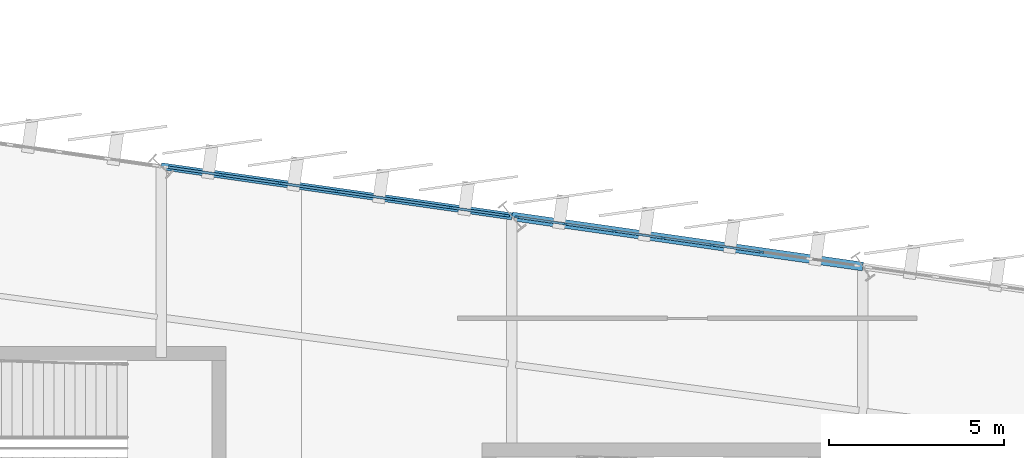
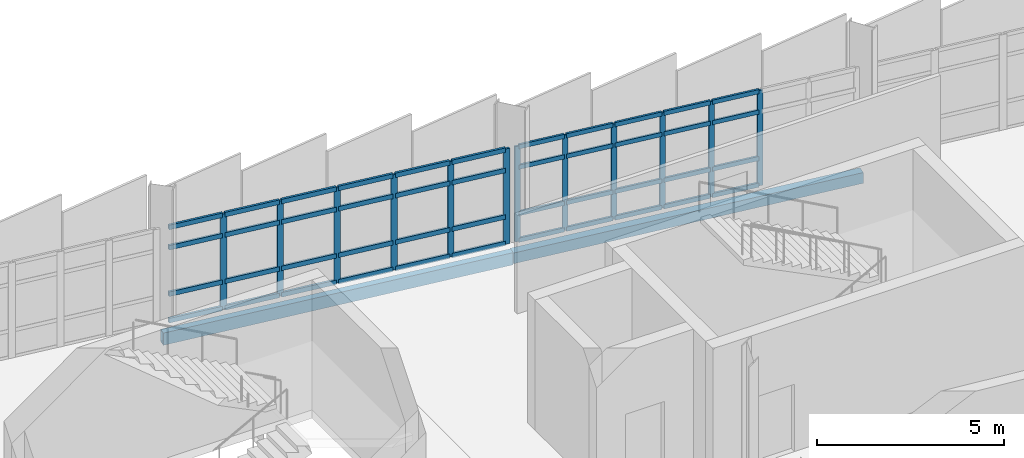
# One storey, part 78 of 134: 56 members, 2 beams, 2 elements without a shape of their own.
"""IFC4 building model written with IfcOpenShell, lengths in metres."""

from ifc_helpers import new_model, si_unit, direction, frame, origin, origin_2d, place, context, subcontext, project, spatial, rectangle, hollow_rectangle, extrude, material, layer, layer_set, material_profile, profile_set, type_object, element, aggregate, save


model = new_model("IFC4")

# Units and contexts
model_context = context("Model", 3, precision=1e-05, world=origin(), true_north=direction((0.0, 1.0)))
body_context = subcontext(model_context, "Body", "Model", "MODEL_VIEW")
ifc_project = project(units=[si_unit("LENGTHUNIT", "METRE"), si_unit("AREAUNIT", "SQUARE_METRE"), si_unit("VOLUMEUNIT", "CUBIC_METRE"), si_unit("PLANEANGLEUNIT", "RADIAN"), si_unit("MASSUNIT", "GRAM", prefix="KILO")], contexts=[model_context])

# Site, building, storey
site_placement = place(None, origin())
site = spatial("IfcSite", under=ifc_project, at=site_placement, CompositionType="ELEMENT")
building_placement = place(site_placement, origin())
building = spatial("IfcBuilding", under=site, at=building_placement, Name="Sohan Crest Arena", CompositionType="ELEMENT")
storey_placement = place(building_placement, frame((0.0, 0.0, 4.5)))
storey = spatial("IfcBuildingStorey", under=building, at=storey_placement, Name="L01", CompositionType="ELEMENT", Elevation=4.5)

# Curtain wall, members
ifc_material_1 = material(Name="Thermally broken anodised aluminium", Category="aluminium")
ifc_layer_1 = layer(ifc_material_1, 0.18994140625, Name="Thermally broken anodised aluminium")
ifc_layer_set_1 = layer_set([ifc_layer_1], Name="Thermally broken anodised aluminium")
curtain_wall_type_1 = type_object("IfcCurtainWallType", Name="ARC-CW05", PredefinedType="NOTDEFINED", material=ifc_layer_set_1)
curtain_wall_1_placement = place(storey_placement, origin())
curtain_wall_1 = element("IfcCurtainWall", 1, at=curtain_wall_1_placement, inside=storey, type_object=curtain_wall_type_1, Name="Unitised curtain wall CW-044", PredefinedType="NOTDEFINED")
ifc_material_profile_1 = material_profile(ifc_material_1, rectangle(XDim=0.06005859375, YDim=0.159912109375, at=origin_2d()), Name="ALU-MULL 60x160")
ifc_profile_set_1 = profile_set([ifc_material_profile_1], Name="Thermally broken anodised aluminium")
member_type_1 = type_object("IfcMemberType", Name="ARC-CW-ML01", PredefinedType="MULLION", material=ifc_profile_set_1)
member_1_placement = place(storey_placement, frame((155.087646484375, 117.8447265625, 0.0), z_axis=(0.0, 0.0, 1.0), x_axis=(-0.141449808729, -0.989945428602, 0.0)))
member_1 = element("IfcMember", 2, at=member_1_placement, type_object=member_type_1, Name="CW-044 mullion 3", PredefinedType="MULLION", context=body_context, shape_type="SweptSolid", body=[
    extrude(rectangle(XDim=0.06005859375, YDim=0.159912109375, at=origin_2d()), origin(), (0.0, 0.0, 1.0), 3.1201171875),
])
member_2_placement = place(storey_placement, frame((153.69580078125, 118.04345703125, 0.0), z_axis=(0.0, 0.0, 1.0), x_axis=(-0.141449808729, -0.989945428602, 0.0)))
member_2 = element("IfcMember", 3, at=member_2_placement, type_object=member_type_1, Name="CW-044 mullion 4", PredefinedType="MULLION", context=body_context, shape_type="SweptSolid", body=[
    extrude(rectangle(XDim=0.06005859375, YDim=0.159912109375, at=origin_2d()), origin(), (0.0, 0.0, 1.0), 3.1201171875),
])
member_3_placement = place(storey_placement, frame((152.30419921875, 118.242431640625, 0.0), z_axis=(0.0, 0.0, 1.0), x_axis=(-0.141449808729, -0.989945428602, 0.0)))
member_3 = element("IfcMember", 4, at=member_3_placement, type_object=member_type_1, Name="CW-044 mullion 5", PredefinedType="MULLION", context=body_context, shape_type="SweptSolid", body=[
    extrude(rectangle(XDim=0.06005859375, YDim=0.159912109375, at=origin_2d()), origin(), (0.0, 0.0, 1.0), 3.1201171875),
])
member_4_placement = place(storey_placement, frame((150.912353515625, 118.44140625, 0.0), z_axis=(0.0, 0.0, 1.0), x_axis=(-0.141449808729, -0.989945428602, 0.0)))
member_4 = element("IfcMember", 5, at=member_4_placement, type_object=member_type_1, Name="CW-044 mullion 6", PredefinedType="MULLION", context=body_context, shape_type="SweptSolid", body=[
    extrude(rectangle(XDim=0.06005859375, YDim=0.159912109375, at=origin_2d()), origin(), (0.0, 0.0, 1.0), 3.1201171875),
])
member_5_placement = place(storey_placement, frame((149.520751953125, 118.64013671875, 0.0), z_axis=(0.0, 0.0, 1.0), x_axis=(-0.141449808729, -0.989945428602, 0.0)))
member_5 = element("IfcMember", 6, at=member_5_placement, type_object=member_type_1, Name="CW-044 mullion 7", PredefinedType="MULLION", context=body_context, shape_type="SweptSolid", body=[
    extrude(rectangle(XDim=0.06005859375, YDim=0.159912109375, at=origin_2d()), origin(), (0.0, 0.0, 1.0), 3.1201171875),
])
member_6_placement = place(storey_placement, frame((148.15869140625, 118.834716796875, 0.0), z_axis=(0.0, 0.0, 1.0), x_axis=(-0.141449808729, -0.989945428602, 0.0)))
member_6 = element("IfcMember", 7, at=member_6_placement, type_object=member_type_1, Name="CW-044 mullion 8", PredefinedType="MULLION", context=body_context, shape_type="SweptSolid", body=[
    extrude(rectangle(XDim=0.06005859375, YDim=0.159912109375, at=origin_2d()), origin(), (0.0, 0.0, 1.0), 3.1201171875),
])

ifc_layer_2 = layer(ifc_material_1, 0.2099609375, Name="Thermally broken anodised aluminium")
ifc_layer_set_2 = layer_set([ifc_layer_2], Name="Thermally broken anodised aluminium")
curtain_wall_type_2 = type_object("IfcCurtainWallType", Name="ARC-CW06", PredefinedType="NOTDEFINED", material=ifc_layer_set_2)
curtain_wall_2_placement = place(storey_placement, origin())
curtain_wall_2 = element("IfcCurtainWall", 8, at=curtain_wall_2_placement, inside=storey, type_object=curtain_wall_type_2, Name="Unitised curtain wall CW-045", PredefinedType="NOTDEFINED")
ifc_material_profile_2 = material_profile(ifc_material_1, rectangle(XDim=0.06494140625, YDim=0.179931640625, at=origin_2d()), Name="ALU-MULL 65x180")
ifc_profile_set_2 = profile_set([ifc_material_profile_2], Name="Thermally broken anodised aluminium")
member_type_2 = type_object("IfcMemberType", Name="ARC-CW-ML02", PredefinedType="MULLION", material=ifc_profile_set_2)
member_7_placement = place(storey_placement, frame((147.8388671875, 118.879638671875, 0.0), z_axis=(0.0, 0.0, 1.0), x_axis=(-0.141549389674, -0.989931194722, 0.0)))
member_7 = element("IfcMember", 9, at=member_7_placement, type_object=member_type_2, Name="CW-045 mullion 1", PredefinedType="MULLION", context=body_context, shape_type="SweptSolid", body=[
    extrude(rectangle(XDim=0.06494140625, YDim=0.179931640625, at=origin_2d()), origin(), (0.0, 0.0, 1.0), 3.1201171875),
])
member_8_placement = place(storey_placement, frame((146.247314453125, 119.107177734375, 0.0), z_axis=(0.0, 0.0, 1.0), x_axis=(-0.141549389674, -0.989931194722, 0.0)))
member_8 = element("IfcMember", 10, at=member_8_placement, type_object=member_type_2, Name="CW-045 mullion 2", PredefinedType="MULLION", context=body_context, shape_type="SweptSolid", body=[
    extrude(rectangle(XDim=0.06494140625, YDim=0.179931640625, at=origin_2d()), origin(), (0.0, 0.0, 1.0), 3.1201171875),
])
member_9_placement = place(storey_placement, frame((144.623779296875, 119.33935546875, 0.0), z_axis=(0.0, 0.0, 1.0), x_axis=(-0.141549389674, -0.989931194722, 0.0)))
member_9 = element("IfcMember", 11, at=member_9_placement, type_object=member_type_2, Name="CW-045 mullion 3", PredefinedType="MULLION", context=body_context, shape_type="SweptSolid", body=[
    extrude(rectangle(XDim=0.06494140625, YDim=0.179931640625, at=origin_2d()), origin(), (0.0, 0.0, 1.0), 3.1201171875),
])
member_10_placement = place(storey_placement, frame((143.0, 119.571533203125, 0.0), z_axis=(0.0, 0.0, 1.0), x_axis=(-0.141549389674, -0.989931194722, 0.0)))
member_10 = element("IfcMember", 12, at=member_10_placement, type_object=member_type_2, Name="CW-045 mullion 4", PredefinedType="MULLION", context=body_context, shape_type="SweptSolid", body=[
    extrude(rectangle(XDim=0.06494140625, YDim=0.179931640625, at=origin_2d()), origin(), (0.0, 0.0, 1.0), 3.1201171875),
])
member_11_placement = place(storey_placement, frame((141.376220703125, 119.8037109375, 0.0), z_axis=(0.0, 0.0, 1.0), x_axis=(-0.141549389674, -0.989931194722, 0.0)))
member_11 = element("IfcMember", 13, at=member_11_placement, type_object=member_type_2, Name="CW-045 mullion 5", PredefinedType="MULLION", context=body_context, shape_type="SweptSolid", body=[
    extrude(rectangle(XDim=0.06494140625, YDim=0.179931640625, at=origin_2d()), origin(), (0.0, 0.0, 1.0), 3.1201171875),
])
member_12_placement = place(storey_placement, frame((139.752685546875, 120.035888671875, 0.0), z_axis=(0.0, 0.0, 1.0), x_axis=(-0.141549389674, -0.989931194722, 0.0)))
member_12 = element("IfcMember", 14, at=member_12_placement, type_object=member_type_2, Name="CW-045 mullion 6", PredefinedType="MULLION", context=body_context, shape_type="SweptSolid", body=[
    extrude(rectangle(XDim=0.06494140625, YDim=0.179931640625, at=origin_2d()), origin(), (0.0, 0.0, 1.0), 3.1201171875),
])

# Member
ifc_material_profile_3 = material_profile(ifc_material_1, rectangle(XDim=0.06494140625, YDim=0.139892578125, at=origin_2d()), Name="ALU-TRAN 65x140")
ifc_profile_set_3 = profile_set([ifc_material_profile_3], Name="Thermally broken anodised aluminium")
member_type_3 = type_object("IfcMemberType", Name="ARC-CW-TR02", PredefinedType="USERDEFINED", material=ifc_profile_set_3)
member_13_placement = place(storey_placement, frame((155.057861328125, 117.848876953125, 0.032470703125), z_axis=(-0.989938606302, 0.141497546805, 0.0), x_axis=(-0.141497546805, -0.989938606302, 0.0)))
member_13 = element("IfcMember", 15, at=member_13_placement, type_object=member_type_3, Name="CW-044 transom 3.1", ObjectType="TRANSOM", PredefinedType="USERDEFINED", context=body_context, shape_type="SweptSolid", body=[
    extrude(rectangle(XDim=0.06494140625, YDim=0.139892578125, at=origin_2d()), origin(), (0.0, 0.0, 1.0), 1.345703125),
])

member_14_placement = place(storey_placement, frame((155.057861328125, 117.848876953125, 0.89990234375), z_axis=(-0.989938606302, 0.141497546805, 0.0), x_axis=(-0.141497546805, -0.989938606302, 0.0)))
member_14 = element("IfcMember", 16, at=member_14_placement, type_object=member_type_3, Name="CW-044 transom 3.2", ObjectType="TRANSOM", PredefinedType="USERDEFINED", context=body_context, shape_type="SweptSolid", body=[
    extrude(rectangle(XDim=0.06494140625, YDim=0.139892578125, at=origin_2d()), origin(), (0.0, 0.0, 1.0), 1.345703125),
])

member_15_placement = place(storey_placement, frame((155.057861328125, 117.848876953125, 2.419921875), z_axis=(-0.989938606302, 0.141497546805, 0.0), x_axis=(-0.141497546805, -0.989938606302, 0.0)))
member_15 = element("IfcMember", 17, at=member_15_placement, type_object=member_type_3, Name="CW-044 transom 3.3", ObjectType="TRANSOM", PredefinedType="USERDEFINED", context=body_context, shape_type="SweptSolid", body=[
    extrude(rectangle(XDim=0.06494140625, YDim=0.139892578125, at=origin_2d()), origin(), (0.0, 0.0, 1.0), 1.345703125),
])

member_16_placement = place(storey_placement, frame((155.057861328125, 117.848876953125, 3.08740234375), z_axis=(-0.989938606302, 0.141497546805, 0.0), x_axis=(-0.141497546805, -0.989938606302, 0.0)))
member_16 = element("IfcMember", 18, at=member_16_placement, type_object=member_type_3, Name="CW-044 transom 3.4", ObjectType="TRANSOM", PredefinedType="USERDEFINED", context=body_context, shape_type="SweptSolid", body=[
    extrude(rectangle(XDim=0.06494140625, YDim=0.139892578125, at=origin_2d()), origin(), (0.0, 0.0, 1.0), 1.345703125),
])

member_17_placement = place(storey_placement, frame((153.666259765625, 118.0478515625, 0.032470703125), z_axis=(-0.989942237377, 0.141472140922, 0.0), x_axis=(-0.141472140922, -0.989942237377, 0.0)))
member_17 = element("IfcMember", 19, at=member_17_placement, type_object=member_type_3, Name="CW-044 transom 4.1", ObjectType="TRANSOM", PredefinedType="USERDEFINED", context=body_context, shape_type="SweptSolid", body=[
    extrude(rectangle(XDim=0.06494140625, YDim=0.139892578125, at=origin_2d()), origin(), (0.0, 0.0, 1.0), 1.345947265625),
])

member_18_placement = place(storey_placement, frame((153.666259765625, 118.0478515625, 0.89990234375), z_axis=(-0.989942237377, 0.141472140922, 0.0), x_axis=(-0.141472140922, -0.989942237377, 0.0)))
member_18 = element("IfcMember", 20, at=member_18_placement, type_object=member_type_3, Name="CW-044 transom 4.2", ObjectType="TRANSOM", PredefinedType="USERDEFINED", context=body_context, shape_type="SweptSolid", body=[
    extrude(rectangle(XDim=0.06494140625, YDim=0.139892578125, at=origin_2d()), origin(), (0.0, 0.0, 1.0), 1.345947265625),
])

member_19_placement = place(storey_placement, frame((153.666259765625, 118.0478515625, 2.419921875), z_axis=(-0.989942237377, 0.141472140922, 0.0), x_axis=(-0.141472140922, -0.989942237377, 0.0)))
member_19 = element("IfcMember", 21, at=member_19_placement, type_object=member_type_3, Name="CW-044 transom 4.3", ObjectType="TRANSOM", PredefinedType="USERDEFINED", context=body_context, shape_type="SweptSolid", body=[
    extrude(rectangle(XDim=0.06494140625, YDim=0.139892578125, at=origin_2d()), origin(), (0.0, 0.0, 1.0), 1.345947265625),
])

member_20_placement = place(storey_placement, frame((153.666259765625, 118.0478515625, 3.08740234375), z_axis=(-0.989942237377, 0.141472140922, 0.0), x_axis=(-0.141472140922, -0.989942237377, 0.0)))
member_20 = element("IfcMember", 22, at=member_20_placement, type_object=member_type_3, Name="CW-044 transom 4.4", ObjectType="TRANSOM", PredefinedType="USERDEFINED", context=body_context, shape_type="SweptSolid", body=[
    extrude(rectangle(XDim=0.06494140625, YDim=0.139892578125, at=origin_2d()), origin(), (0.0, 0.0, 1.0), 1.345947265625),
])

member_21_placement = place(storey_placement, frame((152.2744140625, 118.24658203125, 0.032470703125), z_axis=(-0.989938606302, 0.141497546805, 0.0), x_axis=(-0.141497546805, -0.989938606302, 0.0)))
member_21 = element("IfcMember", 23, at=member_21_placement, type_object=member_type_3, Name="CW-044 transom 5.1", ObjectType="TRANSOM", PredefinedType="USERDEFINED", context=body_context, shape_type="SweptSolid", body=[
    extrude(rectangle(XDim=0.06494140625, YDim=0.139892578125, at=origin_2d()), origin(), (0.0, 0.0, 1.0), 1.345703125),
])

member_22_placement = place(storey_placement, frame((152.2744140625, 118.24658203125, 0.89990234375), z_axis=(-0.989938606302, 0.141497546805, 0.0), x_axis=(-0.141497546805, -0.989938606302, 0.0)))
member_22 = element("IfcMember", 24, at=member_22_placement, type_object=member_type_3, Name="CW-044 transom 5.2", ObjectType="TRANSOM", PredefinedType="USERDEFINED", context=body_context, shape_type="SweptSolid", body=[
    extrude(rectangle(XDim=0.06494140625, YDim=0.139892578125, at=origin_2d()), origin(), (0.0, 0.0, 1.0), 1.345703125),
])

member_23_placement = place(storey_placement, frame((152.2744140625, 118.24658203125, 2.419921875), z_axis=(-0.989938606302, 0.141497546805, 0.0), x_axis=(-0.141497546805, -0.989938606302, 0.0)))
member_23 = element("IfcMember", 25, at=member_23_placement, type_object=member_type_3, Name="CW-044 transom 5.3", ObjectType="TRANSOM", PredefinedType="USERDEFINED", context=body_context, shape_type="SweptSolid", body=[
    extrude(rectangle(XDim=0.06494140625, YDim=0.139892578125, at=origin_2d()), origin(), (0.0, 0.0, 1.0), 1.345703125),
])

member_24_placement = place(storey_placement, frame((152.2744140625, 118.24658203125, 3.08740234375), z_axis=(-0.989938606302, 0.141497546805, 0.0), x_axis=(-0.141497546805, -0.989938606302, 0.0)))
member_24 = element("IfcMember", 26, at=member_24_placement, type_object=member_type_3, Name="CW-044 transom 5.4", ObjectType="TRANSOM", PredefinedType="USERDEFINED", context=body_context, shape_type="SweptSolid", body=[
    extrude(rectangle(XDim=0.06494140625, YDim=0.139892578125, at=origin_2d()), origin(), (0.0, 0.0, 1.0), 1.345703125),
])

member_25_placement = place(storey_placement, frame((150.8828125, 118.445556640625, 0.032470703125), z_axis=(-0.989942237377, 0.141472140922, 0.0), x_axis=(-0.141472140922, -0.989942237377, 0.0)))
member_25 = element("IfcMember", 27, at=member_25_placement, type_object=member_type_3, Name="CW-044 transom 6.1", ObjectType="TRANSOM", PredefinedType="USERDEFINED", context=body_context, shape_type="SweptSolid", body=[
    extrude(rectangle(XDim=0.06494140625, YDim=0.139892578125, at=origin_2d()), origin(), (0.0, 0.0, 1.0), 1.345947265625),
])

member_26_placement = place(storey_placement, frame((150.8828125, 118.445556640625, 0.89990234375), z_axis=(-0.989942237377, 0.141472140922, 0.0), x_axis=(-0.141472140922, -0.989942237377, 0.0)))
member_26 = element("IfcMember", 28, at=member_26_placement, type_object=member_type_3, Name="CW-044 transom 6.2", ObjectType="TRANSOM", PredefinedType="USERDEFINED", context=body_context, shape_type="SweptSolid", body=[
    extrude(rectangle(XDim=0.06494140625, YDim=0.139892578125, at=origin_2d()), origin(), (0.0, 0.0, 1.0), 1.345947265625),
])

member_27_placement = place(storey_placement, frame((150.8828125, 118.445556640625, 2.419921875), z_axis=(-0.989942237377, 0.141472140922, 0.0), x_axis=(-0.141472140922, -0.989942237377, 0.0)))
member_27 = element("IfcMember", 29, at=member_27_placement, type_object=member_type_3, Name="CW-044 transom 6.3", ObjectType="TRANSOM", PredefinedType="USERDEFINED", context=body_context, shape_type="SweptSolid", body=[
    extrude(rectangle(XDim=0.06494140625, YDim=0.139892578125, at=origin_2d()), origin(), (0.0, 0.0, 1.0), 1.345947265625),
])

member_28_placement = place(storey_placement, frame((150.8828125, 118.445556640625, 3.08740234375), z_axis=(-0.989942237377, 0.141472140922, 0.0), x_axis=(-0.141472140922, -0.989942237377, 0.0)))
member_28 = element("IfcMember", 30, at=member_28_placement, type_object=member_type_3, Name="CW-044 transom 6.4", ObjectType="TRANSOM", PredefinedType="USERDEFINED", context=body_context, shape_type="SweptSolid", body=[
    extrude(rectangle(XDim=0.06494140625, YDim=0.139892578125, at=origin_2d()), origin(), (0.0, 0.0, 1.0), 1.345947265625),
])

member_29_placement = place(storey_placement, frame((149.490966796875, 118.644287109375, 0.032470703125), z_axis=(-0.989927214987, 0.141577219313, 0.0), x_axis=(-0.141577219313, -0.989927214987, 0.0)))
member_29 = element("IfcMember", 31, at=member_29_placement, type_object=member_type_3, Name="CW-044 transom 7.1", ObjectType="TRANSOM", PredefinedType="USERDEFINED", context=body_context, shape_type="SweptSolid", body=[
    extrude(rectangle(XDim=0.06494140625, YDim=0.139892578125, at=origin_2d()), origin(), (0.0, 0.0, 1.0), 1.315673828125),
])

member_30_placement = place(storey_placement, frame((149.490966796875, 118.644287109375, 0.89990234375), z_axis=(-0.989927214987, 0.141577219313, 0.0), x_axis=(-0.141577219313, -0.989927214987, 0.0)))
member_30 = element("IfcMember", 32, at=member_30_placement, type_object=member_type_3, Name="CW-044 transom 7.2", ObjectType="TRANSOM", PredefinedType="USERDEFINED", context=body_context, shape_type="SweptSolid", body=[
    extrude(rectangle(XDim=0.06494140625, YDim=0.139892578125, at=origin_2d()), origin(), (0.0, 0.0, 1.0), 1.315673828125),
])

member_31_placement = place(storey_placement, frame((149.490966796875, 118.644287109375, 2.419921875), z_axis=(-0.989927214987, 0.141577219313, 0.0), x_axis=(-0.141577219313, -0.989927214987, 0.0)))
member_31 = element("IfcMember", 33, at=member_31_placement, type_object=member_type_3, Name="CW-044 transom 7.3", ObjectType="TRANSOM", PredefinedType="USERDEFINED", context=body_context, shape_type="SweptSolid", body=[
    extrude(rectangle(XDim=0.06494140625, YDim=0.139892578125, at=origin_2d()), origin(), (0.0, 0.0, 1.0), 1.315673828125),
])

member_32_placement = place(storey_placement, frame((149.490966796875, 118.644287109375, 3.08740234375), z_axis=(-0.989927214987, 0.141577219313, 0.0), x_axis=(-0.141577219313, -0.989927214987, 0.0)))
member_32 = element("IfcMember", 34, at=member_32_placement, type_object=member_type_3, Name="CW-044 transom 7.4", ObjectType="TRANSOM", PredefinedType="USERDEFINED", context=body_context, shape_type="SweptSolid", body=[
    extrude(rectangle(XDim=0.06494140625, YDim=0.139892578125, at=origin_2d()), origin(), (0.0, 0.0, 1.0), 1.315673828125),
])

aggregate(curtain_wall_1, [member_1, member_2, member_3, member_4, member_5, member_6, member_13, member_14, member_15, member_16, member_17, member_18, member_19, member_20, member_21, member_22, member_23, member_24, member_25, member_26, member_27, member_28, member_29, member_30, member_31, member_32])

ifc_material_profile_4 = material_profile(ifc_material_1, rectangle(XDim=0.070068359375, YDim=0.14990234375, at=origin_2d()), Name="ALU-TRAN 70x150")
ifc_profile_set_4 = profile_set([ifc_material_profile_4], Name="Thermally broken anodised aluminium")
member_type_4 = type_object("IfcMemberType", Name="ARC-CW-TR03", PredefinedType="USERDEFINED", material=ifc_profile_set_4)
member_33_placement = place(storey_placement, frame((147.806640625, 118.88427734375, 0.034912109375), z_axis=(-0.989939995602, 0.14148782671, 0.0), x_axis=(-0.14148782671, -0.989939995602, 0.0)))
member_33 = element("IfcMember", 35, at=member_33_placement, type_object=member_type_4, Name="CW-045 transom 1.1", ObjectType="TRANSOM", PredefinedType="USERDEFINED", context=body_context, shape_type="SweptSolid", body=[
    extrude(rectangle(XDim=0.070068359375, YDim=0.14990234375, at=origin_2d()), origin(), (0.0, 0.0, 1.0), 1.542724609375),
])

member_34_placement = place(storey_placement, frame((147.806640625, 118.88427734375, 0.89990234375), z_axis=(-0.989939995602, 0.14148782671, 0.0), x_axis=(-0.14148782671, -0.989939995602, 0.0)))
member_34 = element("IfcMember", 36, at=member_34_placement, type_object=member_type_4, Name="CW-045 transom 1.2", ObjectType="TRANSOM", PredefinedType="USERDEFINED", context=body_context, shape_type="SweptSolid", body=[
    extrude(rectangle(XDim=0.070068359375, YDim=0.14990234375, at=origin_2d()), origin(), (0.0, 0.0, 1.0), 1.542724609375),
])

member_35_placement = place(storey_placement, frame((147.806640625, 118.88427734375, 2.419921875), z_axis=(-0.989939995602, 0.14148782671, 0.0), x_axis=(-0.14148782671, -0.989939995602, 0.0)))
member_35 = element("IfcMember", 37, at=member_35_placement, type_object=member_type_4, Name="CW-045 transom 1.3", ObjectType="TRANSOM", PredefinedType="USERDEFINED", context=body_context, shape_type="SweptSolid", body=[
    extrude(rectangle(XDim=0.070068359375, YDim=0.14990234375, at=origin_2d()), origin(), (0.0, 0.0, 1.0), 1.542724609375),
])

member_36_placement = place(storey_placement, frame((147.806640625, 118.88427734375, 3.0849609375), z_axis=(-0.989939995602, 0.14148782671, 0.0), x_axis=(-0.14148782671, -0.989939995602, 0.0)))
member_36 = element("IfcMember", 38, at=member_36_placement, type_object=member_type_4, Name="CW-045 transom 1.4", ObjectType="TRANSOM", PredefinedType="USERDEFINED", context=body_context, shape_type="SweptSolid", body=[
    extrude(rectangle(XDim=0.070068359375, YDim=0.14990234375, at=origin_2d()), origin(), (0.0, 0.0, 1.0), 1.542724609375),
])

member_37_placement = place(storey_placement, frame((146.215087890625, 119.11181640625, 0.034912109375), z_axis=(-0.989937090456, 0.141508151493, 0.0), x_axis=(-0.141508151493, -0.989937090456, 0.0)))
member_37 = element("IfcMember", 39, at=member_37_placement, type_object=member_type_4, Name="CW-045 transom 2.1", ObjectType="TRANSOM", PredefinedType="USERDEFINED", context=body_context, shape_type="SweptSolid", body=[
    extrude(rectangle(XDim=0.070068359375, YDim=0.14990234375, at=origin_2d()), origin(), (0.0, 0.0, 1.0), 1.5751953125),
])

member_38_placement = place(storey_placement, frame((146.215087890625, 119.11181640625, 0.89990234375), z_axis=(-0.989937090456, 0.141508151493, 0.0), x_axis=(-0.141508151493, -0.989937090456, 0.0)))
member_38 = element("IfcMember", 40, at=member_38_placement, type_object=member_type_4, Name="CW-045 transom 2.2", ObjectType="TRANSOM", PredefinedType="USERDEFINED", context=body_context, shape_type="SweptSolid", body=[
    extrude(rectangle(XDim=0.070068359375, YDim=0.14990234375, at=origin_2d()), origin(), (0.0, 0.0, 1.0), 1.5751953125),
])

member_39_placement = place(storey_placement, frame((146.215087890625, 119.11181640625, 2.419921875), z_axis=(-0.989937090456, 0.141508151493, 0.0), x_axis=(-0.141508151493, -0.989937090456, 0.0)))
member_39 = element("IfcMember", 41, at=member_39_placement, type_object=member_type_4, Name="CW-045 transom 2.3", ObjectType="TRANSOM", PredefinedType="USERDEFINED", context=body_context, shape_type="SweptSolid", body=[
    extrude(rectangle(XDim=0.070068359375, YDim=0.14990234375, at=origin_2d()), origin(), (0.0, 0.0, 1.0), 1.5751953125),
])

member_40_placement = place(storey_placement, frame((146.215087890625, 119.11181640625, 3.0849609375), z_axis=(-0.989937090456, 0.141508151493, 0.0), x_axis=(-0.141508151493, -0.989937090456, 0.0)))
member_40 = element("IfcMember", 42, at=member_40_placement, type_object=member_type_4, Name="CW-045 transom 2.4", ObjectType="TRANSOM", PredefinedType="USERDEFINED", context=body_context, shape_type="SweptSolid", body=[
    extrude(rectangle(XDim=0.070068359375, YDim=0.14990234375, at=origin_2d()), origin(), (0.0, 0.0, 1.0), 1.5751953125),
])

member_41_placement = place(storey_placement, frame((144.591552734375, 119.343994140625, 0.034912109375), z_axis=(-0.989937090456, 0.141508151493, 0.0), x_axis=(-0.141508151493, -0.989937090456, 0.0)))
member_41 = element("IfcMember", 43, at=member_41_placement, type_object=member_type_4, Name="CW-045 transom 3.1", ObjectType="TRANSOM", PredefinedType="USERDEFINED", context=body_context, shape_type="SweptSolid", body=[
    extrude(rectangle(XDim=0.070068359375, YDim=0.14990234375, at=origin_2d()), origin(), (0.0, 0.0, 1.0), 1.5751953125),
])

member_42_placement = place(storey_placement, frame((144.591552734375, 119.343994140625, 0.89990234375), z_axis=(-0.989937090456, 0.141508151493, 0.0), x_axis=(-0.141508151493, -0.989937090456, 0.0)))
member_42 = element("IfcMember", 44, at=member_42_placement, type_object=member_type_4, Name="CW-045 transom 3.2", ObjectType="TRANSOM", PredefinedType="USERDEFINED", context=body_context, shape_type="SweptSolid", body=[
    extrude(rectangle(XDim=0.070068359375, YDim=0.14990234375, at=origin_2d()), origin(), (0.0, 0.0, 1.0), 1.5751953125),
])

member_43_placement = place(storey_placement, frame((144.591552734375, 119.343994140625, 2.419921875), z_axis=(-0.989937090456, 0.141508151493, 0.0), x_axis=(-0.141508151493, -0.989937090456, 0.0)))
member_43 = element("IfcMember", 45, at=member_43_placement, type_object=member_type_4, Name="CW-045 transom 3.3", ObjectType="TRANSOM", PredefinedType="USERDEFINED", context=body_context, shape_type="SweptSolid", body=[
    extrude(rectangle(XDim=0.070068359375, YDim=0.14990234375, at=origin_2d()), origin(), (0.0, 0.0, 1.0), 1.5751953125),
])

member_44_placement = place(storey_placement, frame((144.591552734375, 119.343994140625, 3.0849609375), z_axis=(-0.989937090456, 0.141508151493, 0.0), x_axis=(-0.141508151493, -0.989937090456, 0.0)))
member_44 = element("IfcMember", 46, at=member_44_placement, type_object=member_type_4, Name="CW-045 transom 3.4", ObjectType="TRANSOM", PredefinedType="USERDEFINED", context=body_context, shape_type="SweptSolid", body=[
    extrude(rectangle(XDim=0.070068359375, YDim=0.14990234375, at=origin_2d()), origin(), (0.0, 0.0, 1.0), 1.5751953125),
])

member_45_placement = place(storey_placement, frame((142.9677734375, 119.576171875, 0.034912109375), z_axis=(-0.989937090456, 0.141508151493, 0.0), x_axis=(-0.141508151493, -0.989937090456, 0.0)))
member_45 = element("IfcMember", 47, at=member_45_placement, type_object=member_type_4, Name="CW-045 transom 4.1", ObjectType="TRANSOM", PredefinedType="USERDEFINED", context=body_context, shape_type="SweptSolid", body=[
    extrude(rectangle(XDim=0.070068359375, YDim=0.14990234375, at=origin_2d()), origin(), (0.0, 0.0, 1.0), 1.5751953125),
])

member_46_placement = place(storey_placement, frame((142.9677734375, 119.576171875, 0.89990234375), z_axis=(-0.989937090456, 0.141508151493, 0.0), x_axis=(-0.141508151493, -0.989937090456, 0.0)))
member_46 = element("IfcMember", 48, at=member_46_placement, type_object=member_type_4, Name="CW-045 transom 4.2", ObjectType="TRANSOM", PredefinedType="USERDEFINED", context=body_context, shape_type="SweptSolid", body=[
    extrude(rectangle(XDim=0.070068359375, YDim=0.14990234375, at=origin_2d()), origin(), (0.0, 0.0, 1.0), 1.5751953125),
])

member_47_placement = place(storey_placement, frame((142.9677734375, 119.576171875, 2.419921875), z_axis=(-0.989937090456, 0.141508151493, 0.0), x_axis=(-0.141508151493, -0.989937090456, 0.0)))
member_47 = element("IfcMember", 49, at=member_47_placement, type_object=member_type_4, Name="CW-045 transom 4.3", ObjectType="TRANSOM", PredefinedType="USERDEFINED", context=body_context, shape_type="SweptSolid", body=[
    extrude(rectangle(XDim=0.070068359375, YDim=0.14990234375, at=origin_2d()), origin(), (0.0, 0.0, 1.0), 1.5751953125),
])

member_48_placement = place(storey_placement, frame((142.9677734375, 119.576171875, 3.0849609375), z_axis=(-0.989937090456, 0.141508151493, 0.0), x_axis=(-0.141508151493, -0.989937090456, 0.0)))
member_48 = element("IfcMember", 50, at=member_48_placement, type_object=member_type_4, Name="CW-045 transom 4.4", ObjectType="TRANSOM", PredefinedType="USERDEFINED", context=body_context, shape_type="SweptSolid", body=[
    extrude(rectangle(XDim=0.070068359375, YDim=0.14990234375, at=origin_2d()), origin(), (0.0, 0.0, 1.0), 1.5751953125),
])

member_49_placement = place(storey_placement, frame((141.34423828125, 119.808349609375, 0.034912109375), z_axis=(-0.989937090456, 0.141508151493, 0.0), x_axis=(-0.141508151493, -0.989937090456, 0.0)))
member_49 = element("IfcMember", 51, at=member_49_placement, type_object=member_type_4, Name="CW-045 transom 5.1", ObjectType="TRANSOM", PredefinedType="USERDEFINED", context=body_context, shape_type="SweptSolid", body=[
    extrude(rectangle(XDim=0.070068359375, YDim=0.14990234375, at=origin_2d()), origin(), (0.0, 0.0, 1.0), 1.5751953125),
])

member_50_placement = place(storey_placement, frame((141.34423828125, 119.808349609375, 0.89990234375), z_axis=(-0.989937090456, 0.141508151493, 0.0), x_axis=(-0.141508151493, -0.989937090456, 0.0)))
member_50 = element("IfcMember", 52, at=member_50_placement, type_object=member_type_4, Name="CW-045 transom 5.2", ObjectType="TRANSOM", PredefinedType="USERDEFINED", context=body_context, shape_type="SweptSolid", body=[
    extrude(rectangle(XDim=0.070068359375, YDim=0.14990234375, at=origin_2d()), origin(), (0.0, 0.0, 1.0), 1.5751953125),
])

member_51_placement = place(storey_placement, frame((141.34423828125, 119.808349609375, 2.419921875), z_axis=(-0.989937090456, 0.141508151493, 0.0), x_axis=(-0.141508151493, -0.989937090456, 0.0)))
member_51 = element("IfcMember", 53, at=member_51_placement, type_object=member_type_4, Name="CW-045 transom 5.3", ObjectType="TRANSOM", PredefinedType="USERDEFINED", context=body_context, shape_type="SweptSolid", body=[
    extrude(rectangle(XDim=0.070068359375, YDim=0.14990234375, at=origin_2d()), origin(), (0.0, 0.0, 1.0), 1.5751953125),
])

member_52_placement = place(storey_placement, frame((141.34423828125, 119.808349609375, 3.0849609375), z_axis=(-0.989937090456, 0.141508151493, 0.0), x_axis=(-0.141508151493, -0.989937090456, 0.0)))
member_52 = element("IfcMember", 54, at=member_52_placement, type_object=member_type_4, Name="CW-045 transom 5.4", ObjectType="TRANSOM", PredefinedType="USERDEFINED", context=body_context, shape_type="SweptSolid", body=[
    extrude(rectangle(XDim=0.070068359375, YDim=0.14990234375, at=origin_2d()), origin(), (0.0, 0.0, 1.0), 1.5751953125),
])

member_53_placement = place(storey_placement, frame((139.720458984375, 120.04052734375, 0.034912109375), z_axis=(-0.989939995602, 0.14148782671, 0.0), x_axis=(-0.14148782671, -0.989939995602, 0.0)))
member_53 = element("IfcMember", 55, at=member_53_placement, type_object=member_type_4, Name="CW-045 transom 6.1", ObjectType="TRANSOM", PredefinedType="USERDEFINED", context=body_context, shape_type="SweptSolid", body=[
    extrude(rectangle(XDim=0.070068359375, YDim=0.14990234375, at=origin_2d()), origin(), (0.0, 0.0, 1.0), 1.542724609375),
])

member_54_placement = place(storey_placement, frame((139.720458984375, 120.04052734375, 0.89990234375), z_axis=(-0.989939995602, 0.14148782671, 0.0), x_axis=(-0.14148782671, -0.989939995602, 0.0)))
member_54 = element("IfcMember", 56, at=member_54_placement, type_object=member_type_4, Name="CW-045 transom 6.2", ObjectType="TRANSOM", PredefinedType="USERDEFINED", context=body_context, shape_type="SweptSolid", body=[
    extrude(rectangle(XDim=0.070068359375, YDim=0.14990234375, at=origin_2d()), origin(), (0.0, 0.0, 1.0), 1.542724609375),
])

member_55_placement = place(storey_placement, frame((139.720458984375, 120.04052734375, 2.419921875), z_axis=(-0.989939995602, 0.14148782671, 0.0), x_axis=(-0.14148782671, -0.989939995602, 0.0)))
member_55 = element("IfcMember", 57, at=member_55_placement, type_object=member_type_4, Name="CW-045 transom 6.3", ObjectType="TRANSOM", PredefinedType="USERDEFINED", context=body_context, shape_type="SweptSolid", body=[
    extrude(rectangle(XDim=0.070068359375, YDim=0.14990234375, at=origin_2d()), origin(), (0.0, 0.0, 1.0), 1.542724609375),
])

member_56_placement = place(storey_placement, frame((139.720458984375, 120.04052734375, 3.0849609375), z_axis=(-0.989939995602, 0.14148782671, 0.0), x_axis=(-0.14148782671, -0.989939995602, 0.0)))
member_56 = element("IfcMember", 58, at=member_56_placement, type_object=member_type_4, Name="CW-045 transom 6.4", ObjectType="TRANSOM", PredefinedType="USERDEFINED", context=body_context, shape_type="SweptSolid", body=[
    extrude(rectangle(XDim=0.070068359375, YDim=0.14990234375, at=origin_2d()), origin(), (0.0, 0.0, 1.0), 1.542724609375),
])

aggregate(curtain_wall_2, [member_7, member_8, member_9, member_10, member_11, member_12, member_33, member_34, member_35, member_36, member_37, member_38, member_39, member_40, member_41, member_42, member_43, member_44, member_45, member_46, member_47, member_48, member_49, member_50, member_51, member_52, member_53, member_54, member_55, member_56])

# Beams
ifc_material_2 = material(Name="Steel S355", Category="steel")
ifc_material_profile_5 = material_profile(ifc_material_2, hollow_rectangle(XDim=0.25, YDim=0.35009765625, WallThickness=0.012451171875, at=origin_2d()), Name="RHS 350x250x12.5")
ifc_profile_set_5 = profile_set([ifc_material_profile_5], Name="Steel S355")
beam_type_1 = type_object("IfcBeamType", Name="STR-BM-SP04", PredefinedType="SPANDREL", material=ifc_profile_set_5)
beam_1_placement = place(storey_placement, frame((158.0, 117.428955078125, -0.449951171875), z_axis=(-0.989957709412, 0.141363834042, 0.0), x_axis=(-0.141363834042, -0.989957709412, 0.0)))
element("IfcBeam", 59, at=beam_1_placement, inside=storey, type_object=beam_type_1, Name="Structural beam SP-L01-1219", PredefinedType="SPANDREL", context=body_context, shape_type="SweptSolid", body=[
    extrude(hollow_rectangle(XDim=0.25, YDim=0.35009765625, WallThickness=0.012451171875, at=origin_2d()), origin(), (0.0, 0.0, 1.0), 10.1015625),
])
ifc_material_profile_6 = material_profile(ifc_material_2, hollow_rectangle(XDim=0.199951171875, YDim=0.39990234375, WallThickness=0.012451171875, at=origin_2d()), Name="RHS 400x200x12.5")
ifc_profile_set_6 = profile_set([ifc_material_profile_6], Name="Steel S355")
beam_type_2 = type_object("IfcBeamType", Name="STR-BM-SP05", PredefinedType="SPANDREL", material=ifc_profile_set_6)
beam_2_placement = place(storey_placement, frame((148.0, 118.85693359375, -0.47509765625), z_axis=(-0.989944175879, 0.141458575718, 0.0), x_axis=(-0.141458575718, -0.989944175879, 0.0)))
element("IfcBeam", 60, at=beam_2_placement, inside=storey, type_object=beam_type_2, Name="Structural beam SP-L01-1224", PredefinedType="SPANDREL", context=body_context, shape_type="SweptSolid", body=[
    extrude(hollow_rectangle(XDim=0.199951171875, YDim=0.39990234375, WallThickness=0.012451171875, at=origin_2d()), origin(), (0.0, 0.0, 1.0), 10.1015625),
])

save(model, "model.ifc")
